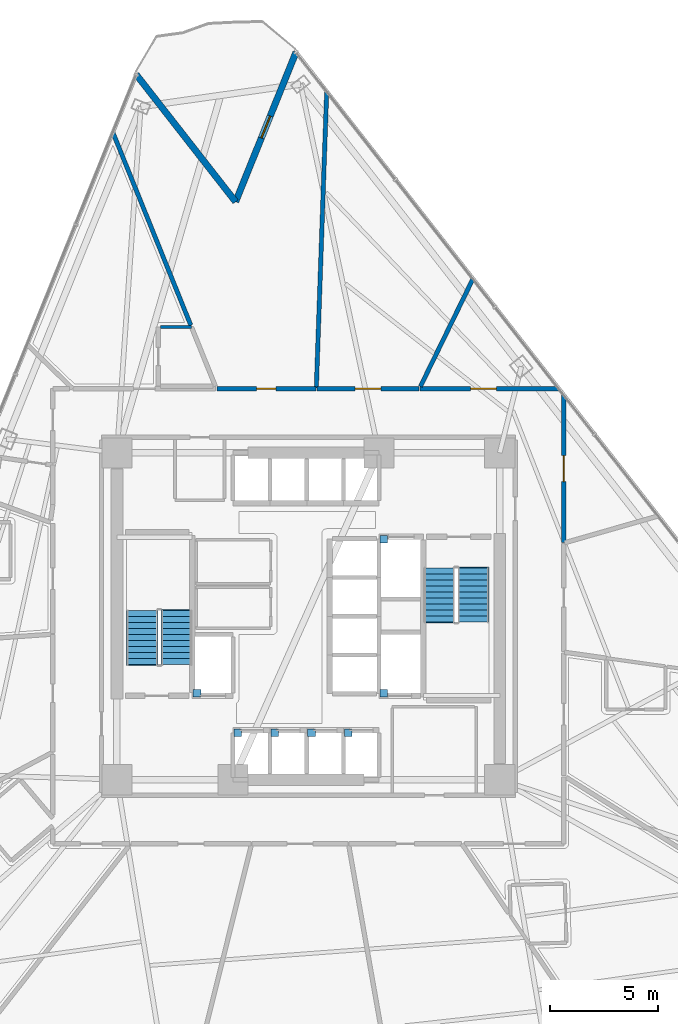
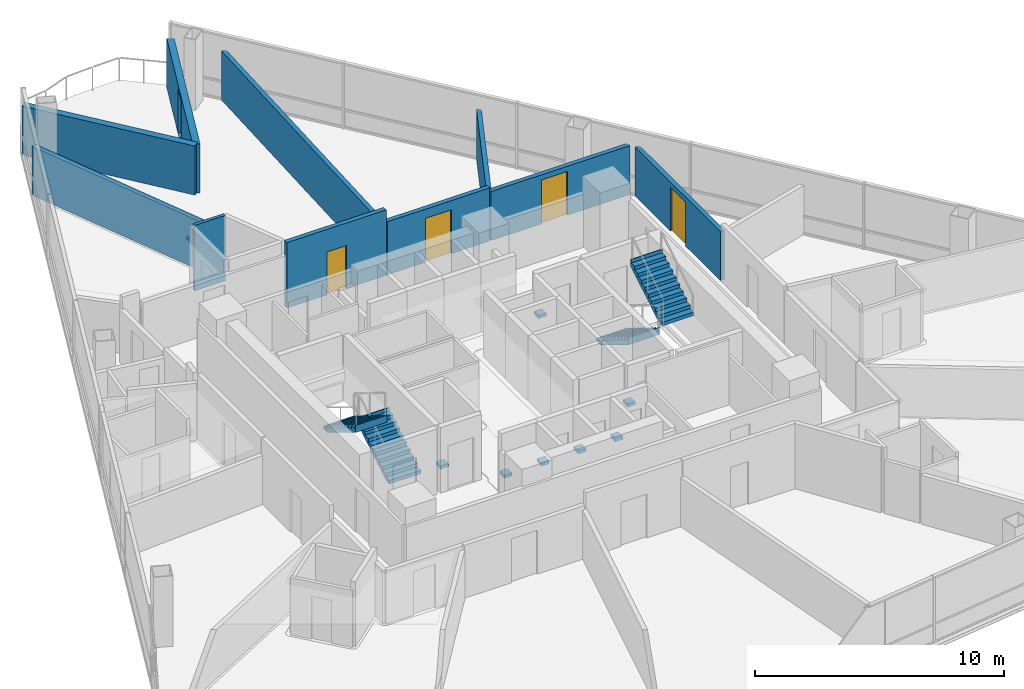
# One storey, part 10 of 15: 10 walls, 7 discrete accessories, 5 doors, 4 stair flights, 5 openings, 2 elements without a shape of their own.
"""IFC4 building model written with IfcOpenShell, lengths in metres."""

from ifc_helpers import new_model, si_unit, direction, frame, frame_2d, origin, origin_2d, place, context, subcontext, project, spatial, polyline, rectangle, outline, extrude, material, layer, layer_set, type_object, element, fill, aggregate, save


model = new_model("IFC4")

# Units and contexts
model_context = context("Model", 3, precision=1e-05, world=origin(), true_north=direction((0.0, 1.0)))
body_context = subcontext(model_context, "Body", "Model", "MODEL_VIEW")
ifc_project = project(units=[si_unit("LENGTHUNIT", "METRE"), si_unit("AREAUNIT", "SQUARE_METRE"), si_unit("VOLUMEUNIT", "CUBIC_METRE"), si_unit("PLANEANGLEUNIT", "RADIAN"), si_unit("MASSUNIT", "GRAM", prefix="KILO")], contexts=[model_context])

# Site, building, storey
site_placement = place(None, origin())
site = spatial("IfcSite", under=ifc_project, at=site_placement, CompositionType="ELEMENT")
building_placement = place(site_placement, origin())
building = spatial("IfcBuilding", under=site, at=building_placement, Name="Tharavind Bronze Gate", CompositionType="ELEMENT")
storey_placement = place(building_placement, frame((0.0, 0.0, 77.64990234375)))
storey = spatial("IfcBuildingStorey", under=building, at=storey_placement, Name="L19", CompositionType="ELEMENT", Elevation=77.64990234375)

# Wall, opening, door
ifc_material_1 = material(Name="Concrete C40/50", Category="concrete")
ifc_layer_1 = layer(ifc_material_1, 0.300048828125)
ifc_layer_set_1 = layer_set([ifc_layer_1], Name="Concrete C40/50")
wall_type_1 = type_object("IfcWallType", Name="EXTERIOR SPANDREL WALL 300", PredefinedType="STANDARD", material=ifc_layer_set_1)
wall_1_placement = place(storey_placement, frame((-0.57373046875, 26.226806640625, 0.0), z_axis=(0.0, 0.0, 1.0), x_axis=(-0.374609979755, -0.92718248639, 0.0)))
wall_1 = element("IfcWall", 1, at=wall_1_placement, inside=storey, type_object=wall_type_1, Name="L19 notch cheek wall 1A", PredefinedType="STANDARD", context=body_context, shape_type="SweptSolid", body=[
    extrude(rectangle(XDim=7.5, YDim=0.300048828125, at=frame_2d((3.75, 0.0))), origin(), (0.0, 0.0, 1.0), 2.405029296875),
])
opening_1_placement = place(wall_1_placement, frame((3.199951171875, 0.0, 0.0)))
opening_1 = element("IfcOpeningElement", 2, at=opening_1_placement, cuts=wall_1, Name="Opening ED04", PredefinedType="OPENING", context=body_context, shape_type="SweptSolid", body=[
    extrude(rectangle(XDim=1.10009765625, YDim=2.199951171875, at=frame_2d((0.550048828125, 1.10009765625))), frame((0.0, 0.15990234375, 0.0), z_axis=(0.0, -1.0, 0.0), x_axis=(1.0, 0.0, 0.0)), (0.0, 0.0, 1.0), 0.320048828125),
])
ifc_material_2 = material(Name="Bronze Aluminium & Toughened Glass", Category="aluminium")
door_type_1 = type_object("IfcDoorType", Name="TREE BALCONY ACCESS DOOR 1100X2200", OperationType="SINGLE_SWING_LEFT", PredefinedType="DOOR", material=ifc_material_2)
door_1_placement = place(opening_1_placement, frame((1.10009765625, 0.0, 0.0), z_axis=(0.0, 0.0, 1.0), x_axis=(-1.0, 0.0, 0.0)))
door_1 = element("IfcDoor", 3, at=door_1_placement, inside=storey, type_object=door_type_1, Name="L19 tree balcony access door", OperationType="SINGLE_SWING_LEFT", OverallHeight=2.199951171875, OverallWidth=1.10009765625, PredefinedType="DOOR", context=body_context, shape_type="SweptSolid", body=[
    extrude(rectangle(XDim=1.10009765625, YDim=2.199951171875, at=frame_2d((0.550048828125, 1.10009765625))), frame((0.0, 0.02490234375, 0.0), z_axis=(0.0, -1.0, 0.0), x_axis=(1.0, 0.0, 0.0)), (0.0, 0.0, 1.0), 0.050048828125),
])
fill(opening_1, door_1)

# Wall
wall_2_placement = place(storey_placement, frame((-3.38330078125, 19.27294921875, 0.0), z_axis=(0.0, 0.0, 1.0), x_axis=(-0.615654149001, 0.788016477504, 0.0)))
element("IfcWall", 4, at=wall_2_placement, inside=storey, type_object=wall_type_1, Name="L19 notch cheek wall 1B", PredefinedType="STANDARD", context=body_context, shape_type="SweptSolid", body=[
    extrude(rectangle(XDim=7.5, YDim=0.300048828125, at=frame_2d((3.75, 0.0))), origin(), (0.0, 0.0, 1.0), 2.405029296875),
])

# Wall, opening, door
ifc_material_3 = material(Name="Aerated Concrete Block", Category="concrete")
ifc_layer_2 = layer(ifc_material_3, 0.199951171875)
ifc_layer_set_2 = layer_set([ifc_layer_2], Name="Aerated Concrete Block")
wall_type_2 = type_object("IfcWallType", Name="FIRE RATED PARTITION 200", PredefinedType="PARTITIONING", material=ifc_layer_set_2)
wall_3_placement = place(storey_placement, frame((11.8798828125, 3.439697265625, 0.0), z_axis=(0.0, 0.0, 1.0), x_axis=(0.0, 1.0, 0.0)))
wall_3 = element("IfcWall", 5, at=wall_3_placement, inside=storey, type_object=wall_type_2, Name="L19 Hotel Club Lounge partition", PredefinedType="PARTITIONING", context=body_context, shape_type="SweptSolid", body=[
    extrude(rectangle(XDim=6.84716796875, YDim=0.199951171875, at=frame_2d((3.423583984375, 0.0))), origin(), (0.0, 0.0, 1.0), 2.405029296875),
])
opening_2_placement = place(wall_3_placement, frame((2.823974609375, 0.0, 0.0)))
opening_2 = element("IfcOpeningElement", 6, at=opening_2_placement, cuts=wall_3, Name="Opening ID05", PredefinedType="OPENING", context=body_context, shape_type="SweptSolid", body=[
    extrude(rectangle(XDim=1.199951171875, YDim=2.14990234375, at=frame_2d((0.60009765625, 1.074951171875))), frame((0.0, 0.11009765625, 0.0), z_axis=(0.0, -1.0, 0.0), x_axis=(1.0, 0.0, 0.0)), (0.0, 0.0, 1.0), 0.219951171875),
])
ifc_material_4 = material(Name="Acoustic Laminated Glass", Category="glass")
door_type_2 = type_object("IfcDoorType", Name="MEETING ROOM GLAZED DOOR 1200X2150", OperationType="SINGLE_SWING_LEFT", PredefinedType="DOOR", material=ifc_material_4)
door_2_placement = place(opening_2_placement, origin())
door_2 = element("IfcDoor", 7, at=door_2_placement, inside=storey, type_object=door_type_2, Name="L19 Hotel Club Lounge door", OperationType="SINGLE_SWING_LEFT", OverallHeight=2.14990234375, OverallWidth=1.199951171875, PredefinedType="DOOR", context=body_context, shape_type="SweptSolid", body=[
    extrude(rectangle(XDim=1.199951171875, YDim=2.14990234375, at=frame_2d((0.60009765625, 1.074951171875))), frame((0.0, 0.02490234375, 0.0), z_axis=(0.0, -1.0, 0.0), x_axis=(1.0, 0.0, 0.0)), (0.0, 0.0, 1.0), 0.050048828125),
])
fill(opening_2, door_2)

wall_4_placement = place(storey_placement, frame((11.65087890625, 10.580078125, 0.0), z_axis=(0.0, 0.0, 1.0), x_axis=(-1.0, 0.0, 0.0)))
wall_4 = element("IfcWall", 8, at=wall_4_placement, inside=storey, type_object=wall_type_2, Name="L19 Hotel Guest Lounge partition", PredefinedType="PARTITIONING", context=body_context, shape_type="SweptSolid", body=[
    extrude(rectangle(XDim=6.45068359375, YDim=0.199951171875, at=frame_2d((3.225341796875, 0.0))), origin(), (0.0, 0.0, 1.0), 2.405029296875),
])
opening_3_placement = place(wall_4_placement, frame((2.905029296875, 0.0, 0.0)))
opening_3 = element("IfcOpeningElement", 9, at=opening_3_placement, cuts=wall_4, Name="Opening ID05", PredefinedType="OPENING", context=body_context, shape_type="SweptSolid", body=[
    extrude(rectangle(XDim=1.199951171875, YDim=2.14990234375, at=frame_2d((0.60009765625, 1.074951171875))), frame((0.0, 0.11009765625, 0.0), z_axis=(0.0, -1.0, 0.0), x_axis=(1.0, 0.0, 0.0)), (0.0, 0.0, 1.0), 0.219951171875),
])
door_3_placement = place(opening_3_placement, origin())
door_3 = element("IfcDoor", 10, at=door_3_placement, inside=storey, type_object=door_type_2, Name="L19 Hotel Guest Lounge door", OperationType="SINGLE_SWING_LEFT", OverallHeight=2.14990234375, OverallWidth=1.199951171875, PredefinedType="DOOR", context=body_context, shape_type="SweptSolid", body=[
    extrude(rectangle(XDim=1.199951171875, YDim=2.14990234375, at=frame_2d((0.60009765625, 1.074951171875))), frame((0.0, 0.02490234375, 0.0), z_axis=(0.0, -1.0, 0.0), x_axis=(1.0, 0.0, 0.0)), (0.0, 0.0, 1.0), 0.050048828125),
])
fill(opening_3, door_3)

# Wall
wall_5_placement = place(storey_placement, frame((5.21142578125, 10.68505859375, 0.0), z_axis=(0.0, 0.0, 1.0), x_axis=(0.438361496965, 0.898798752769, 0.0)))
element("IfcWall", 11, at=wall_5_placement, inside=storey, type_object=wall_type_2, Name="L19 Hotel Guest Lounge partition", PredefinedType="PARTITIONING", context=body_context, shape_type="SweptSolid", body=[
    extrude(rectangle(XDim=5.57373046875, YDim=0.199951171875, at=frame_2d((2.786865234375, 0.0))), origin(), (0.0, 0.0, 1.0), 2.405029296875),
])

# Wall, opening, door
wall_6_placement = place(storey_placement, frame((5.14453125, 10.580078125, 0.0), z_axis=(0.0, 0.0, 1.0), x_axis=(-1.0, 0.0, 0.0)))
wall_6 = element("IfcWall", 12, at=wall_6_placement, inside=storey, type_object=wall_type_2, Name="L19 Hotel Guest Lounge partition", PredefinedType="PARTITIONING", context=body_context, shape_type="SweptSolid", body=[
    extrude(rectangle(XDim=4.749267578125, YDim=0.199951171875, at=frame_2d((2.37451171875, 0.0))), origin(), (0.0, 0.0, 1.0), 2.60498046875),
])
opening_4_placement = place(wall_6_placement, frame((1.77490234375, 0.0, 0.0)))
opening_4 = element("IfcOpeningElement", 13, at=opening_4_placement, cuts=wall_6, Name="Opening ID05", PredefinedType="OPENING", context=body_context, shape_type="SweptSolid", body=[
    extrude(rectangle(XDim=1.199951171875, YDim=2.14990234375, at=frame_2d((0.60009765625, 1.074951171875))), frame((0.0, 0.11009765625, 0.0), z_axis=(0.0, -1.0, 0.0), x_axis=(1.0, 0.0, 0.0)), (0.0, 0.0, 1.0), 0.219951171875),
])
door_4_placement = place(opening_4_placement, origin())
door_4 = element("IfcDoor", 14, at=door_4_placement, inside=storey, type_object=door_type_2, Name="L19 Hotel Guest Lounge door", OperationType="SINGLE_SWING_LEFT", OverallHeight=2.14990234375, OverallWidth=1.199951171875, PredefinedType="DOOR", context=body_context, shape_type="SweptSolid", body=[
    extrude(rectangle(XDim=1.199951171875, YDim=2.14990234375, at=frame_2d((0.60009765625, 1.074951171875))), frame((0.0, 0.02490234375, 0.0), z_axis=(0.0, -1.0, 0.0), x_axis=(1.0, 0.0, 0.0)), (0.0, 0.0, 1.0), 0.050048828125),
])
fill(opening_4, door_4)

# Wall
wall_7_placement = place(storey_placement, frame((0.370361328125, 10.60595703125, 0.0), z_axis=(0.0, 0.0, 1.0), x_axis=(0.03489353046, 0.999391035347, 0.0)))
element("IfcWall", 15, at=wall_7_placement, inside=storey, type_object=wall_type_2, Name="L19 Hotel Guest Lounge partition", PredefinedType="PARTITIONING", context=body_context, shape_type="SweptSolid", body=[
    extrude(rectangle(XDim=13.804443359375, YDim=0.199951171875, at=frame_2d((6.90234375, 0.0))), origin(), (0.0, 0.0, 1.0), 2.405029296875),
])

# Wall, opening, door
wall_8_placement = place(storey_placement, frame((0.34521484375, 10.580078125, 0.0), z_axis=(0.0, 0.0, 1.0), x_axis=(-1.0, 0.0, 0.0)))
wall_8 = element("IfcWall", 16, at=wall_8_placement, inside=storey, type_object=wall_type_2, Name="L19 Housekeeping & Linen Room partition", PredefinedType="PARTITIONING", context=body_context, shape_type="SweptSolid", body=[
    extrude(rectangle(XDim=4.60302734375, YDim=0.199951171875, at=frame_2d((2.301513671875, 0.0))), origin(), (0.0, 0.0, 1.0), 3.210205078125),
])
opening_5_placement = place(wall_8_placement, frame((1.85107421875, 0.0, 0.0)))
opening_5 = element("IfcOpeningElement", 17, at=opening_5_placement, cuts=wall_8, Name="Opening ID07", PredefinedType="OPENING", context=body_context, shape_type="SweptSolid", body=[
    extrude(rectangle(XDim=0.89990234375, YDim=2.10009765625, at=frame_2d((0.449951171875, 1.050048828125))), frame((0.0, 0.11009765625, 0.0), z_axis=(0.0, -1.0, 0.0), x_axis=(1.0, 0.0, 0.0)), (0.0, 0.0, 1.0), 0.219951171875),
])
ifc_material_5 = material(Name="Galvanised Fire Steel", Category="steel")
door_type_3 = type_object("IfcDoorType", Name="PLANT AND RISER FIRE DOOR 900X2100", OperationType="SINGLE_SWING_LEFT", PredefinedType="DOOR", material=ifc_material_5)
door_5_placement = place(opening_5_placement, origin())
door_5 = element("IfcDoor", 18, at=door_5_placement, inside=storey, type_object=door_type_3, Name="L19 Housekeeping & Linen Room door", OperationType="SINGLE_SWING_LEFT", OverallHeight=2.10009765625, OverallWidth=0.89990234375, PredefinedType="DOOR", context=body_context, shape_type="SweptSolid", body=[
    extrude(rectangle(XDim=0.89990234375, YDim=2.10009765625, at=frame_2d((0.449951171875, 1.050048828125))), frame((0.0, 0.02490234375, 0.0), z_axis=(0.0, -1.0, 0.0), x_axis=(1.0, 0.0, 0.0)), (0.0, 0.0, 1.0), 0.050048828125),
])
fill(opening_5, door_5)

# Walls
wall_9_placement = place(storey_placement, frame((-5.466552734375, 13.530029296875, 0.0), z_axis=(0.0, 0.0, 1.0), x_axis=(-0.374609771438, 0.927182570556, 0.0)))
element("IfcWall", 19, at=wall_9_placement, inside=storey, type_object=wall_type_2, Name="L19 Housekeeping & Linen Room partition", PredefinedType="PARTITIONING", context=body_context, shape_type="SweptSolid", body=[
    extrude(rectangle(XDim=9.656494140625, YDim=0.199951171875, at=frame_2d((4.828125, 0.0))), origin(), (0.0, 0.0, 1.0), 2.405029296875),
])
ifc_material_6 = material(Name="Twin Stud Acoustic Gypsum", Category="gypsum")
ifc_layer_3 = layer(ifc_material_6, 0.14990234375)
ifc_layer_set_3 = layer_set([ifc_layer_3], Name="Twin Stud Acoustic Gypsum")
wall_type_3 = type_object("IfcWallType", Name="INTERIOR PARTITION WALL 150", PredefinedType="PARTITIONING", material=ifc_layer_set_3)
wall_10_placement = place(storey_placement, frame((-6.8681640625, 13.449951171875, 0.0), z_axis=(0.0, 0.0, 1.0), x_axis=(1.0, 0.0, 0.0)))
element("IfcWall", 20, at=wall_10_placement, inside=storey, type_object=wall_type_3, Name="L19 En-Suite Bathroom partition", PredefinedType="PARTITIONING", context=body_context, shape_type="SweptSolid", body=[
    extrude(rectangle(XDim=1.43408203125, YDim=0.14990234375, at=frame_2d((0.717041015625, 0.0))), origin(), (0.0, 0.0, 1.0), 3.210205078125),
])

# Stair, stair flights
stair_type = type_object("IfcStairType", Name="CORE HALF TURN STAIR 1450", PredefinedType="HALF_TURN_STAIR", material=ifc_material_1)
stair_1_placement = place(storey_placement, origin())
stair_1 = element("IfcStair", 21, at=stair_1_placement, inside=storey, type_object=stair_type, Name="L19 Protected Exit Stair ST1", PredefinedType="HALF_TURN_STAIR")
stair_flight_type = type_object("IfcStairFlightType", Name="CORE STAIR FLIGHT 1450", PredefinedType="STRAIGHT", material=ifc_material_1)
stair_flight_1_placement = place(storey_placement, frame((-6.125, -2.25, 0.0), z_axis=(0.0, 0.0, 1.0), x_axis=(0.0, 1.0, 0.0)))
stair_flight_1 = element("IfcStairFlight", 22, at=stair_flight_1_placement, type_object=stair_flight_type, Name="ST1 flight 1", NumberOfRisers=10, NumberOfTreads=9, PredefinedType="STRAIGHT", RiserHeight=0.1725, TreadLength=0.28, context=body_context, shape_type="SweptSolid", body=[
    extrude(outline(polyline([(0.0, 0.0), (0.0, 0.172607421875), (0.280029296875, 0.172607421875), (0.280029296875, 0.344970703125), (0.56005859375, 0.344970703125), (0.56005859375, 0.517578125), (0.840087890625, 0.517578125), (0.840087890625, 0.68994140625), (1.1201171875, 0.68994140625), (1.1201171875, 0.862548828125), (1.39990234375, 0.862548828125), (1.39990234375, 1.034912109375), (1.679931640625, 1.034912109375), (1.679931640625, 1.20751953125), (1.9599609375, 1.20751953125), (1.9599609375, 1.3798828125), (2.239990234375, 1.3798828125), (2.239990234375, 1.552490234375), (2.52001953125, 1.552490234375), (2.52001953125, 1.72509765625), (2.555908203125, 1.72509765625), (2.555908203125, 1.37646484375), (0.285888671875, 0.0), (0.0, 0.0)])), frame((0.0, 0.72509765625, 0.0), z_axis=(0.0, -1.0, 0.0), x_axis=(1.0, 0.0, 0.0)), (0.0, 0.0, 1.0), 1.449951171875),
])
stair_flight_2_placement = place(storey_placement, frame((-7.72509765625, 0.27001953125, 1.72509765625), z_axis=(0.0, 0.0, 1.0), x_axis=(0.0, -1.0, 0.0)))
stair_flight_2 = element("IfcStairFlight", 23, at=stair_flight_2_placement, type_object=stair_flight_type, Name="ST1 flight 2", NumberOfRisers=10, NumberOfTreads=9, PredefinedType="STRAIGHT", RiserHeight=0.1725, TreadLength=0.28, context=body_context, shape_type="SweptSolid", body=[
    extrude(outline(polyline([(0.0, 0.0), (0.0, 0.172607421875), (0.280029296875, 0.172607421875), (0.280029296875, 0.344970703125), (0.56005859375, 0.344970703125), (0.56005859375, 0.517578125), (0.840087890625, 0.517578125), (0.840087890625, 0.68994140625), (1.1201171875, 0.68994140625), (1.1201171875, 0.862548828125), (1.39990234375, 0.862548828125), (1.39990234375, 1.034912109375), (1.679931640625, 1.034912109375), (1.679931640625, 1.20751953125), (1.9599609375, 1.20751953125), (1.9599609375, 1.3798828125), (2.239990234375, 1.3798828125), (2.239990234375, 1.552490234375), (2.52001953125, 1.552490234375), (2.52001953125, 1.72509765625), (2.555908203125, 1.72509765625), (2.555908203125, 1.37646484375), (0.285888671875, 0.0), (0.0, 0.0)])), frame((0.0, 0.72509765625, 0.0), z_axis=(0.0, -1.0, 0.0), x_axis=(1.0, 0.0, 0.0)), (0.0, 0.0, 1.0), 1.449951171875),
])
aggregate(stair_1, [stair_flight_1, stair_flight_2])

stair_2_placement = place(storey_placement, origin())
stair_2 = element("IfcStair", 24, at=stair_2_placement, inside=storey, type_object=stair_type, Name="L19 Protected Exit Stair ST2", PredefinedType="HALF_TURN_STAIR")
stair_flight_3_placement = place(storey_placement, frame((6.074951171875, 2.25, 0.0), z_axis=(0.0, 0.0, 1.0), x_axis=(0.0, -1.0, 0.0)))
stair_flight_3 = element("IfcStairFlight", 25, at=stair_flight_3_placement, type_object=stair_flight_type, Name="ST2 flight 1", NumberOfRisers=10, NumberOfTreads=9, PredefinedType="STRAIGHT", RiserHeight=0.1725, TreadLength=0.28, context=body_context, shape_type="SweptSolid", body=[
    extrude(outline(polyline([(0.0, 0.0), (0.0, 0.172607421875), (0.280029296875, 0.172607421875), (0.280029296875, 0.344970703125), (0.56005859375, 0.344970703125), (0.56005859375, 0.517578125), (0.840087890625, 0.517578125), (0.840087890625, 0.68994140625), (1.1201171875, 0.68994140625), (1.1201171875, 0.862548828125), (1.39990234375, 0.862548828125), (1.39990234375, 1.034912109375), (1.679931640625, 1.034912109375), (1.679931640625, 1.20751953125), (1.9599609375, 1.20751953125), (1.9599609375, 1.3798828125), (2.239990234375, 1.3798828125), (2.239990234375, 1.552490234375), (2.52001953125, 1.552490234375), (2.52001953125, 1.72509765625), (2.555908203125, 1.72509765625), (2.555908203125, 1.37646484375), (0.285888671875, 0.0), (0.0, 0.0)])), frame((0.0, 0.72509765625, 0.0), z_axis=(0.0, -1.0, 0.0), x_axis=(1.0, 0.0, 0.0)), (0.0, 0.0, 1.0), 1.449951171875),
])
stair_flight_4_placement = place(storey_placement, frame((7.675048828125, -0.27001953125, 1.72509765625), z_axis=(0.0, 0.0, 1.0), x_axis=(0.0, 1.0, 0.0)))
stair_flight_4 = element("IfcStairFlight", 26, at=stair_flight_4_placement, type_object=stair_flight_type, Name="ST2 flight 2", NumberOfRisers=10, NumberOfTreads=9, PredefinedType="STRAIGHT", RiserHeight=0.1725, TreadLength=0.28, context=body_context, shape_type="SweptSolid", body=[
    extrude(outline(polyline([(0.0, 0.0), (0.0, 0.172607421875), (0.280029296875, 0.172607421875), (0.280029296875, 0.344970703125), (0.56005859375, 0.344970703125), (0.56005859375, 0.517578125), (0.840087890625, 0.517578125), (0.840087890625, 0.68994140625), (1.1201171875, 0.68994140625), (1.1201171875, 0.862548828125), (1.39990234375, 0.862548828125), (1.39990234375, 1.034912109375), (1.679931640625, 1.034912109375), (1.679931640625, 1.20751953125), (1.9599609375, 1.20751953125), (1.9599609375, 1.3798828125), (2.239990234375, 1.3798828125), (2.239990234375, 1.552490234375), (2.52001953125, 1.552490234375), (2.52001953125, 1.72509765625), (2.555908203125, 1.72509765625), (2.555908203125, 1.37646484375), (0.285888671875, 0.0), (0.0, 0.0)])), frame((0.0, 0.72509765625, 0.0), z_axis=(0.0, -1.0, 0.0), x_axis=(1.0, 0.0, 0.0)), (0.0, 0.0, 1.0), 1.449951171875),
])
aggregate(stair_2, [stair_flight_3, stair_flight_4])

# Discrete accessories
ifc_material_7 = material(Name="Galvanised Steel S355", Category="steel")
discrete_accessory_type = type_object("IfcDiscreteAccessoryType", Name="LIFT GUIDE RAIL BRACKET", PredefinedType="BRACKET", material=ifc_material_7)
for number, where, z_axis, x_axis, name in (
    (27, (-3.280029296875, -5.419921875, 1.1201171875), (0.0, 0.0, 1.0), (1.0, 0.0, 0.0), "Lift PL1 guide rail bracket at L19"),
    (28, (-1.5673828125, -5.419921875, 1.1201171875), (0.0, 0.0, 1.0), (1.0, 0.0, 0.0), "Lift PL2 guide rail bracket at L19"),
    (29, (0.14501953125, -5.419921875, 1.1201171875), (0.0, 0.0, 1.0), (1.0, 0.0, 0.0), "Lift PL3 guide rail bracket at L19"),
    (30, (1.857421875, -5.419921875, 1.1201171875), (0.0, 0.0, 1.0), (1.0, 0.0, 0.0), "Lift PL4 guide rail bracket at L19"),
    (31, (-5.179931640625, -3.580078125, 1.1201171875), (0.0, 0.0, 1.0), (1.0, 0.0, 0.0), "Lift FFL1 guide rail bracket at L19"),
    (32, (3.5, 3.580078125, 1.1201171875), (0.0, 0.0, 1.0), (1.0, 0.0, 0.0), "Lift FFL2 guide rail bracket at L19"),
    (33, (3.5, -3.580078125, 1.1201171875), (0.0, 0.0, 1.0), (1.0, 0.0, 0.0), "Lift SVL1 guide rail bracket at L19"),
):
    element("IfcDiscreteAccessory", number, at=place(storey_placement, frame(where, z_axis=z_axis, x_axis=x_axis)), inside=storey, type_object=discrete_accessory_type, Name=name, PredefinedType="BRACKET", context=body_context, shape_type="SweptSolid", body=[
        extrude(rectangle(XDim=0.360107421875, YDim=0.360107421875, at=origin_2d()), origin(), (0.0, 0.0, 1.0), 0.159912109375),
    ])

save(model, "model.ifc")
